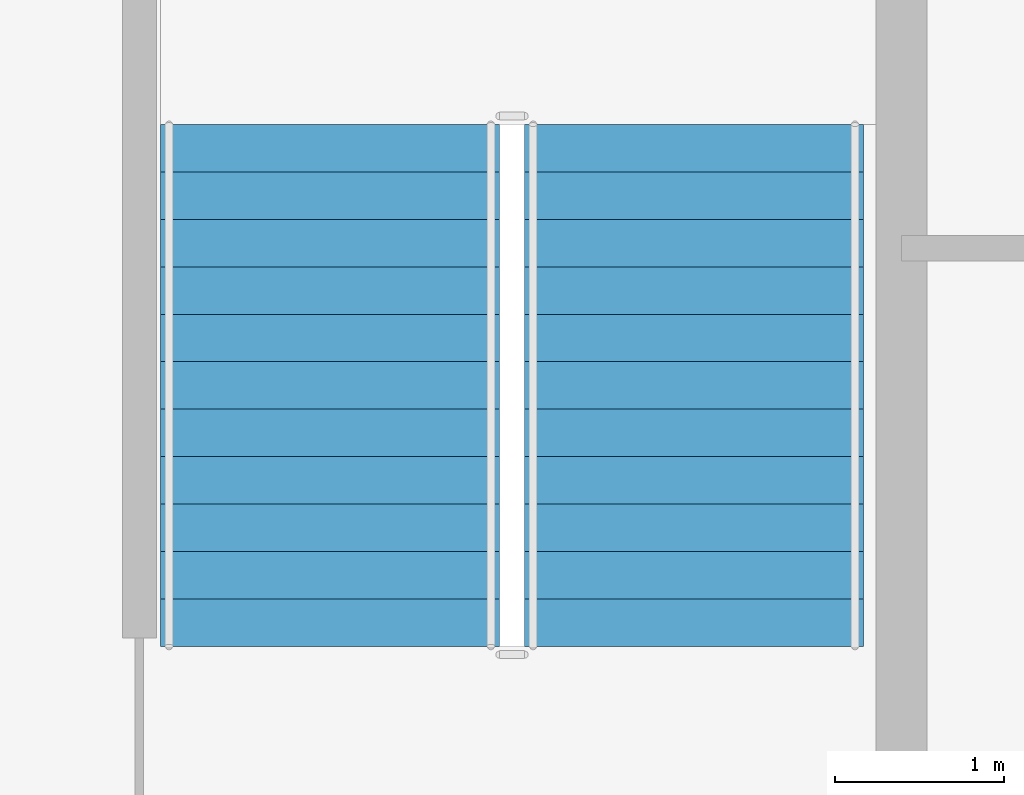
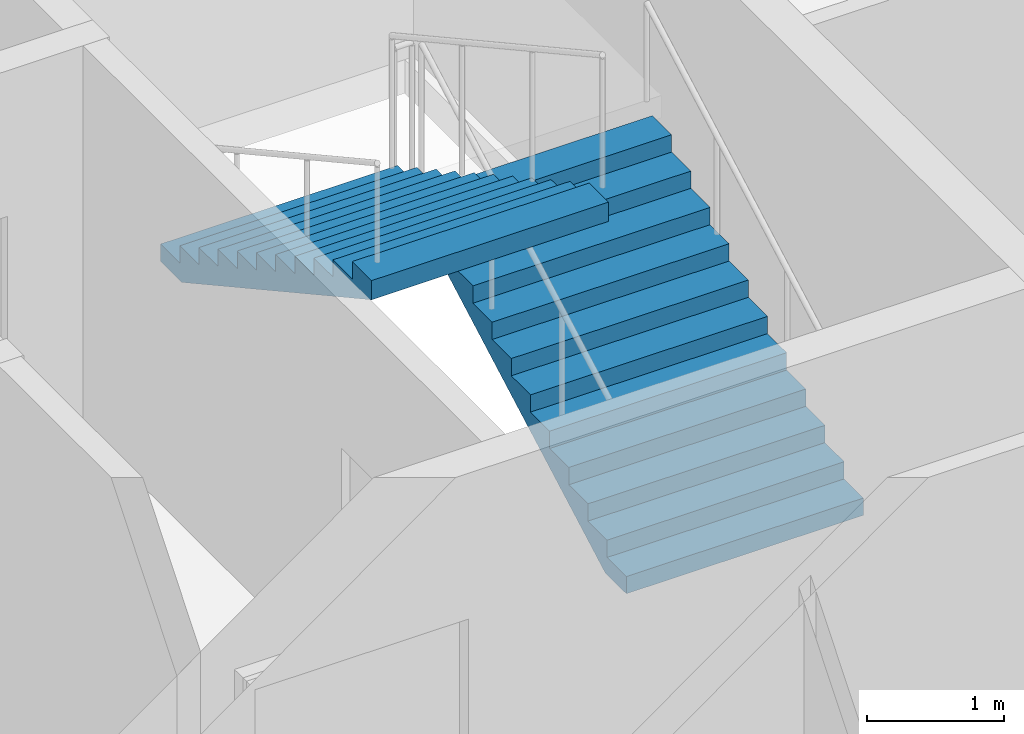
# One storey, part 11 of 14: 2 stair flights, 1 element without a shape of its own.
"""IFC4 building model written with IfcOpenShell, lengths in metres."""

from ifc_helpers import new_model, si_unit, direction, frame, origin, place, context, subcontext, project, spatial, polygons, material, type_object, element, aggregate, save


model = new_model("IFC4")

# Units and contexts
model_context = context("Model", 3, precision=1e-05, world=origin(), true_north=direction((0.0, 1.0)))
body_context = subcontext(model_context, "Body", "Model", "MODEL_VIEW")
ifc_project = project(units=[si_unit("LENGTHUNIT", "METRE"), si_unit("AREAUNIT", "SQUARE_METRE"), si_unit("VOLUMEUNIT", "CUBIC_METRE"), si_unit("PLANEANGLEUNIT", "RADIAN"), si_unit("MASSUNIT", "GRAM", prefix="KILO")], contexts=[model_context])

# Site, building, storey
site_placement = place(None, origin())
site = spatial("IfcSite", under=ifc_project, at=site_placement, CompositionType="ELEMENT")
building_placement = place(site_placement, origin())
building = spatial("IfcBuilding", under=site, at=building_placement, Name="Caravel Reach Hotel and Residences", CompositionType="ELEMENT")
storey_placement = place(building_placement, frame((0.0, 0.0, 161.699951171875)))
storey = spatial("IfcBuildingStorey", under=building, at=storey_placement, Name="L40", CompositionType="ELEMENT", Elevation=161.699951171875)

# Stair, stair flights
ifc_material_1 = material(Name="Concrete C40", Category="concrete")
stair_type = type_object("IfcStairType", Name="Core stair", PredefinedType="HALF_TURN_STAIR", material=ifc_material_1)
stair_placement = place(storey_placement, origin())
stair = element("IfcStair", 1, at=stair_placement, inside=storey, type_object=stair_type, Name="L40 Exit stair B", PredefinedType="HALF_TURN_STAIR")
ifc_material_2 = material(Name="Concrete C40", Category="concrete")
stair_flight_type = type_object("IfcStairFlightType", Name="Core stair flight", PredefinedType="STRAIGHT", material=ifc_material_2)
stair_flight_1_placement = place(storey_placement, frame((43.77490234375, 24.64990234375, 0.0), z_axis=(0.0, 0.0, 1.0), x_axis=(0.0, 1.0, 0.0)))
stair_flight_1 = element("IfcStairFlight", 2, at=stair_flight_1_placement, type_object=stair_flight_type, Name="ST-B flight 1", NumberOfRisers=12, NumberOfTreads=11, PredefinedType="STRAIGHT", RiserHeight=0.154166667, TreadLength=0.28, context=body_context, shape_type="Tessellation", body=[
    polygons([(0.3107950034306102, 1.0, 0.0), (0.3107950034306102, 0.6666666666666667, 0.0), (0.3107950034306102, 0.33333333333333337, 0.0), (0.3107950034306102, 0.0, 0.0), (0.3107950034306102, -0.33333333333333326, 0.0), (0.3107950034306102, -0.6666666666666667, 0.0), (0.3107950034306102, -1.0, 0.0), (3.081, 1.0, 1.524711087717319), (3.081, 0.6666666666666667, 1.524711087717319), (3.081, 0.33333333333333337, 1.524711087717319), (3.081, 0.0, 1.524711087717319), (3.081, -0.33333333333333326, 1.524711087717319), (3.081, -0.6666666666666667, 1.524711087717319), (3.081, -1.0, 1.524711087717319), (3.081, 1.0, 1.695833337), (3.081, 0.6666666666666667, 1.695833337), (3.081, 0.33333333333333337, 1.695833337), (3.081, 0.0, 1.695833337), (3.081, -0.33333333333333326, 1.695833337), (3.081, -0.6666666666666667, 1.695833337), (3.081, -1.0, 1.695833337), (2.8000000000000003, 1.0, 1.695833337), (2.8000000000000003, 0.6666666666666667, 1.695833337), (2.8000000000000003, 0.33333333333333337, 1.695833337), (2.8000000000000003, 0.0, 1.695833337), (2.8000000000000003, -0.33333333333333326, 1.695833337), (2.8000000000000003, -0.6666666666666667, 1.695833337), (2.8000000000000003, -1.0, 1.695833337), (2.8000000000000003, 1.0, 1.5416666700000001), (2.8000000000000003, 0.6666666666666667, 1.5416666700000001), (2.8000000000000003, 0.33333333333333337, 1.5416666700000001), (2.8000000000000003, 0.0, 1.5416666700000001), (2.8000000000000003, -0.33333333333333326, 1.5416666700000001), (2.8000000000000003, -0.6666666666666667, 1.5416666700000001), (2.8000000000000003, -1.0, 1.5416666700000001), (2.5200000000000005, 1.0, 1.5416666700000001), (2.5200000000000005, 0.6666666666666667, 1.5416666700000001), (2.5200000000000005, 0.33333333333333337, 1.5416666700000001), (2.5200000000000005, 0.0, 1.5416666700000001), (2.5200000000000005, -0.33333333333333326, 1.5416666700000001), (2.5200000000000005, -0.6666666666666667, 1.5416666700000001), (2.5200000000000005, -1.0, 1.5416666700000001), (2.5200000000000005, 1.0, 1.387500003), (2.5200000000000005, 0.6666666666666667, 1.387500003), (2.5200000000000005, 0.33333333333333337, 1.387500003), (2.5200000000000005, 0.0, 1.387500003), (2.5200000000000005, -0.33333333333333326, 1.387500003), (2.5200000000000005, -0.6666666666666667, 1.387500003), (2.5200000000000005, -1.0, 1.387500003), (2.24, 1.0, 1.387500003), (2.24, 0.6666666666666667, 1.387500003), (2.24, 0.33333333333333337, 1.387500003), (2.24, 0.0, 1.387500003), (2.24, -0.33333333333333326, 1.387500003), (2.24, -0.6666666666666667, 1.387500003), (2.24, -1.0, 1.387500003), (2.24, 1.0, 1.233333336), (2.24, 0.6666666666666667, 1.233333336), (2.24, 0.33333333333333337, 1.233333336), (2.24, 0.0, 1.233333336), (2.24, -0.33333333333333326, 1.233333336), (2.24, -0.6666666666666667, 1.233333336), (2.24, -1.0, 1.233333336), (1.9600000000000002, 1.0, 1.233333336), (1.9600000000000002, 0.6666666666666667, 1.233333336), (1.9600000000000002, 0.33333333333333337, 1.233333336), (1.9600000000000002, 0.0, 1.233333336), (1.9600000000000002, -0.33333333333333326, 1.233333336), (1.9600000000000002, -0.6666666666666667, 1.233333336), (1.9600000000000002, -1.0, 1.233333336), (1.9600000000000002, 1.0, 1.0791666690000001), (1.9600000000000002, 0.6666666666666667, 1.0791666690000001), (1.9600000000000002, 0.33333333333333337, 1.0791666690000001), (1.9600000000000002, 0.0, 1.0791666690000001), (1.9600000000000002, -0.33333333333333326, 1.0791666690000001), (1.9600000000000002, -0.6666666666666667, 1.0791666690000001), (1.9600000000000002, -1.0, 1.0791666690000001), (1.6800000000000002, 1.0, 1.0791666690000001), (1.6800000000000002, 0.6666666666666667, 1.0791666690000001), (1.6800000000000002, 0.33333333333333337, 1.0791666690000001), (1.6800000000000002, 0.0, 1.0791666690000001), (1.6800000000000002, -0.33333333333333326, 1.0791666690000001), (1.6800000000000002, -0.6666666666666667, 1.0791666690000001), (1.6800000000000002, -1.0, 1.0791666690000001), (1.6800000000000002, 1.0, 0.925000002), (1.6800000000000002, 0.6666666666666667, 0.925000002), (1.6800000000000002, 0.33333333333333337, 0.925000002), (1.6800000000000002, 0.0, 0.925000002), (1.6800000000000002, -0.33333333333333326, 0.925000002), (1.6800000000000002, -0.6666666666666667, 0.925000002), (1.6800000000000002, -1.0, 0.925000002), (1.4000000000000001, 1.0, 0.925000002), (1.4000000000000001, 0.6666666666666667, 0.925000002), (1.4000000000000001, 0.33333333333333337, 0.925000002), (1.4000000000000001, 0.0, 0.925000002), (1.4000000000000001, -0.33333333333333326, 0.925000002), (1.4000000000000001, -0.6666666666666667, 0.925000002), (1.4000000000000001, -1.0, 0.925000002), (1.4000000000000001, 1.0, 0.7708333350000001), (1.4000000000000001, 0.6666666666666667, 0.7708333350000001), (1.4000000000000001, 0.33333333333333337, 0.7708333350000001), (1.4000000000000001, 0.0, 0.7708333350000001), (1.4000000000000001, -0.33333333333333326, 0.7708333350000001), (1.4000000000000001, -0.6666666666666667, 0.7708333350000001), (1.4000000000000001, -1.0, 0.7708333350000001), (1.12, 1.0, 0.7708333350000001), (1.12, 0.6666666666666667, 0.7708333350000001), (1.12, 0.33333333333333337, 0.7708333350000001), (1.12, 0.0, 0.7708333350000001), (1.12, -0.33333333333333326, 0.7708333350000001), (1.12, -0.6666666666666667, 0.7708333350000001), (1.12, -1.0, 0.7708333350000001), (1.12, 1.0, 0.616666668), (1.12, 0.6666666666666667, 0.616666668), (1.12, 0.33333333333333337, 0.616666668), (1.12, 0.0, 0.616666668), (1.12, -0.33333333333333326, 0.616666668), (1.12, -0.6666666666666667, 0.616666668), (1.12, -1.0, 0.616666668), (0.8400000000000001, 1.0, 0.616666668), (0.8400000000000001, 0.6666666666666667, 0.616666668), (0.8400000000000001, 0.33333333333333337, 0.616666668), (0.8400000000000001, 0.0, 0.616666668), (0.8400000000000001, -0.33333333333333326, 0.616666668), (0.8400000000000001, -0.6666666666666667, 0.616666668), (0.8400000000000001, -1.0, 0.616666668), (0.8400000000000001, 1.0, 0.462500001), (0.8400000000000001, 0.6666666666666667, 0.462500001), (0.8400000000000001, 0.33333333333333337, 0.462500001), (0.8400000000000001, 0.0, 0.462500001), (0.8400000000000001, -0.33333333333333326, 0.462500001), (0.8400000000000001, -0.6666666666666667, 0.462500001), (0.8400000000000001, -1.0, 0.462500001), (0.56, 1.0, 0.462500001), (0.56, 0.6666666666666667, 0.462500001), (0.56, 0.33333333333333337, 0.462500001), (0.56, 0.0, 0.462500001), (0.56, -0.33333333333333326, 0.462500001), (0.56, -0.6666666666666667, 0.462500001), (0.56, -1.0, 0.462500001), (0.56, 1.0, 0.308333334), (0.56, 0.6666666666666667, 0.308333334), (0.56, 0.33333333333333337, 0.308333334), (0.56, 0.0, 0.308333334), (0.56, -0.33333333333333326, 0.308333334), (0.56, -0.6666666666666667, 0.308333334), (0.56, -1.0, 0.308333334), (0.28, 1.0, 0.308333334), (0.28, 0.6666666666666667, 0.308333334), (0.28, 0.33333333333333337, 0.308333334), (0.28, 0.0, 0.308333334), (0.28, -0.33333333333333326, 0.308333334), (0.28, -0.6666666666666667, 0.308333334), (0.28, -1.0, 0.308333334), (0.28, 1.0, 0.154166667), (0.28, 0.6666666666666667, 0.154166667), (0.28, 0.33333333333333337, 0.154166667), (0.28, 0.0, 0.154166667), (0.28, -0.33333333333333326, 0.154166667), (0.28, -0.6666666666666667, 0.154166667), (0.28, -1.0, 0.154166667), (-0.001, 1.0, 0.154166667), (-0.001, 0.6666666666666667, 0.154166667), (-0.001, 0.33333333333333337, 0.154166667), (-0.001, 0.0, 0.154166667), (-0.001, -0.33333333333333326, 0.154166667), (-0.001, -0.6666666666666667, 0.154166667), (-0.001, -1.0, 0.154166667), (-0.001, 1.0, 0.0), (-0.001, 0.6666666666666667, 0.0), (-0.001, 0.33333333333333337, 0.0), (-0.001, 0.0, 0.0), (-0.001, -0.33333333333333326, 0.0), (-0.001, -0.6666666666666667, 0.0), (-0.001, -1.0, 0.0)], [[[169, 162, 155, 148, 141, 134, 127, 120, 113, 106, 99, 92, 85, 78, 71, 64, 57, 50, 43, 36, 29, 22, 15, 8, 1]], [[7, 14, 21, 28, 35, 42, 49, 56, 63, 70, 77, 84, 91, 98, 105, 112, 119, 126, 133, 140, 147, 154, 161, 168, 175]], [[1, 8, 9, 2]], [[2, 9, 10, 3]], [[3, 10, 11, 4]], [[4, 11, 12, 5]], [[5, 12, 13, 6]], [[6, 13, 14, 7]], [[8, 15, 16, 9]], [[9, 16, 17, 10]], [[10, 17, 18, 11]], [[11, 18, 19, 12]], [[12, 19, 20, 13]], [[13, 20, 21, 14]], [[15, 22, 23, 16]], [[16, 23, 24, 17]], [[17, 24, 25, 18]], [[18, 25, 26, 19]], [[19, 26, 27, 20]], [[20, 27, 28, 21]], [[22, 29, 30, 23]], [[23, 30, 31, 24]], [[24, 31, 32, 25]], [[25, 32, 33, 26]], [[26, 33, 34, 27]], [[27, 34, 35, 28]], [[29, 36, 37, 30]], [[30, 37, 38, 31]], [[31, 38, 39, 32]], [[32, 39, 40, 33]], [[33, 40, 41, 34]], [[34, 41, 42, 35]], [[36, 43, 44, 37]], [[37, 44, 45, 38]], [[38, 45, 46, 39]], [[39, 46, 47, 40]], [[40, 47, 48, 41]], [[41, 48, 49, 42]], [[43, 50, 51, 44]], [[44, 51, 52, 45]], [[45, 52, 53, 46]], [[46, 53, 54, 47]], [[47, 54, 55, 48]], [[48, 55, 56, 49]], [[50, 57, 58, 51]], [[51, 58, 59, 52]], [[52, 59, 60, 53]], [[53, 60, 61, 54]], [[54, 61, 62, 55]], [[55, 62, 63, 56]], [[57, 64, 65, 58]], [[58, 65, 66, 59]], [[59, 66, 67, 60]], [[60, 67, 68, 61]], [[61, 68, 69, 62]], [[62, 69, 70, 63]], [[64, 71, 72, 65]], [[65, 72, 73, 66]], [[66, 73, 74, 67]], [[67, 74, 75, 68]], [[68, 75, 76, 69]], [[69, 76, 77, 70]], [[71, 78, 79, 72]], [[72, 79, 80, 73]], [[73, 80, 81, 74]], [[74, 81, 82, 75]], [[75, 82, 83, 76]], [[76, 83, 84, 77]], [[78, 85, 86, 79]], [[79, 86, 87, 80]], [[80, 87, 88, 81]], [[81, 88, 89, 82]], [[82, 89, 90, 83]], [[83, 90, 91, 84]], [[85, 92, 93, 86]], [[86, 93, 94, 87]], [[87, 94, 95, 88]], [[88, 95, 96, 89]], [[89, 96, 97, 90]], [[90, 97, 98, 91]], [[92, 99, 100, 93]], [[93, 100, 101, 94]], [[94, 101, 102, 95]], [[95, 102, 103, 96]], [[96, 103, 104, 97]], [[97, 104, 105, 98]], [[99, 106, 107, 100]], [[100, 107, 108, 101]], [[101, 108, 109, 102]], [[102, 109, 110, 103]], [[103, 110, 111, 104]], [[104, 111, 112, 105]], [[106, 113, 114, 107]], [[107, 114, 115, 108]], [[108, 115, 116, 109]], [[109, 116, 117, 110]], [[110, 117, 118, 111]], [[111, 118, 119, 112]], [[113, 120, 121, 114]], [[114, 121, 122, 115]], [[115, 122, 123, 116]], [[116, 123, 124, 117]], [[117, 124, 125, 118]], [[118, 125, 126, 119]], [[120, 127, 128, 121]], [[121, 128, 129, 122]], [[122, 129, 130, 123]], [[123, 130, 131, 124]], [[124, 131, 132, 125]], [[125, 132, 133, 126]], [[127, 134, 135, 128]], [[128, 135, 136, 129]], [[129, 136, 137, 130]], [[130, 137, 138, 131]], [[131, 138, 139, 132]], [[132, 139, 140, 133]], [[134, 141, 142, 135]], [[135, 142, 143, 136]], [[136, 143, 144, 137]], [[137, 144, 145, 138]], [[138, 145, 146, 139]], [[139, 146, 147, 140]], [[141, 148, 149, 142]], [[142, 149, 150, 143]], [[143, 150, 151, 144]], [[144, 151, 152, 145]], [[145, 152, 153, 146]], [[146, 153, 154, 147]], [[148, 155, 156, 149]], [[149, 156, 157, 150]], [[150, 157, 158, 151]], [[151, 158, 159, 152]], [[152, 159, 160, 153]], [[153, 160, 161, 154]], [[155, 162, 163, 156]], [[156, 163, 164, 157]], [[157, 164, 165, 158]], [[158, 165, 166, 159]], [[159, 166, 167, 160]], [[160, 167, 168, 161]], [[162, 169, 170, 163]], [[163, 170, 171, 164]], [[164, 171, 172, 165]], [[165, 172, 173, 166]], [[166, 173, 174, 167]], [[167, 174, 175, 168]], [[169, 1, 2, 170]], [[170, 2, 3, 171]], [[171, 3, 4, 172]], [[172, 4, 5, 173]], [[173, 5, 6, 174]], [[174, 6, 7, 175]]], closed=True),
])
stair_flight_2_placement = place(storey_placement, frame((41.625, 27.72998046875, 1.85009765625), z_axis=(0.0, 0.0, 1.0), x_axis=(0.0, -1.0, 0.0)))
stair_flight_2 = element("IfcStairFlight", 3, at=stair_flight_2_placement, type_object=stair_flight_type, Name="ST-B flight 2", NumberOfRisers=12, NumberOfTreads=11, PredefinedType="STRAIGHT", RiserHeight=0.154166667, TreadLength=0.28, context=body_context, shape_type="Tessellation", body=[
    polygons([(0.3107950034306102, 1.0, 0.0), (0.3107950034306102, 0.6666666666666667, 0.0), (0.3107950034306102, 0.33333333333333337, 0.0), (0.3107950034306102, 0.0, 0.0), (0.3107950034306102, -0.33333333333333326, 0.0), (0.3107950034306102, -0.6666666666666667, 0.0), (0.3107950034306102, -1.0, 0.0), (3.081, 1.0, 1.524711087717319), (3.081, 0.6666666666666667, 1.524711087717319), (3.081, 0.33333333333333337, 1.524711087717319), (3.081, 0.0, 1.524711087717319), (3.081, -0.33333333333333326, 1.524711087717319), (3.081, -0.6666666666666667, 1.524711087717319), (3.081, -1.0, 1.524711087717319), (3.081, 1.0, 1.695833337), (3.081, 0.6666666666666667, 1.695833337), (3.081, 0.33333333333333337, 1.695833337), (3.081, 0.0, 1.695833337), (3.081, -0.33333333333333326, 1.695833337), (3.081, -0.6666666666666667, 1.695833337), (3.081, -1.0, 1.695833337), (2.8000000000000003, 1.0, 1.695833337), (2.8000000000000003, 0.6666666666666667, 1.695833337), (2.8000000000000003, 0.33333333333333337, 1.695833337), (2.8000000000000003, 0.0, 1.695833337), (2.8000000000000003, -0.33333333333333326, 1.695833337), (2.8000000000000003, -0.6666666666666667, 1.695833337), (2.8000000000000003, -1.0, 1.695833337), (2.8000000000000003, 1.0, 1.5416666700000001), (2.8000000000000003, 0.6666666666666667, 1.5416666700000001), (2.8000000000000003, 0.33333333333333337, 1.5416666700000001), (2.8000000000000003, 0.0, 1.5416666700000001), (2.8000000000000003, -0.33333333333333326, 1.5416666700000001), (2.8000000000000003, -0.6666666666666667, 1.5416666700000001), (2.8000000000000003, -1.0, 1.5416666700000001), (2.5200000000000005, 1.0, 1.5416666700000001), (2.5200000000000005, 0.6666666666666667, 1.5416666700000001), (2.5200000000000005, 0.33333333333333337, 1.5416666700000001), (2.5200000000000005, 0.0, 1.5416666700000001), (2.5200000000000005, -0.33333333333333326, 1.5416666700000001), (2.5200000000000005, -0.6666666666666667, 1.5416666700000001), (2.5200000000000005, -1.0, 1.5416666700000001), (2.5200000000000005, 1.0, 1.387500003), (2.5200000000000005, 0.6666666666666667, 1.387500003), (2.5200000000000005, 0.33333333333333337, 1.387500003), (2.5200000000000005, 0.0, 1.387500003), (2.5200000000000005, -0.33333333333333326, 1.387500003), (2.5200000000000005, -0.6666666666666667, 1.387500003), (2.5200000000000005, -1.0, 1.387500003), (2.24, 1.0, 1.387500003), (2.24, 0.6666666666666667, 1.387500003), (2.24, 0.33333333333333337, 1.387500003), (2.24, 0.0, 1.387500003), (2.24, -0.33333333333333326, 1.387500003), (2.24, -0.6666666666666667, 1.387500003), (2.24, -1.0, 1.387500003), (2.24, 1.0, 1.233333336), (2.24, 0.6666666666666667, 1.233333336), (2.24, 0.33333333333333337, 1.233333336), (2.24, 0.0, 1.233333336), (2.24, -0.33333333333333326, 1.233333336), (2.24, -0.6666666666666667, 1.233333336), (2.24, -1.0, 1.233333336), (1.9600000000000002, 1.0, 1.233333336), (1.9600000000000002, 0.6666666666666667, 1.233333336), (1.9600000000000002, 0.33333333333333337, 1.233333336), (1.9600000000000002, 0.0, 1.233333336), (1.9600000000000002, -0.33333333333333326, 1.233333336), (1.9600000000000002, -0.6666666666666667, 1.233333336), (1.9600000000000002, -1.0, 1.233333336), (1.9600000000000002, 1.0, 1.0791666690000001), (1.9600000000000002, 0.6666666666666667, 1.0791666690000001), (1.9600000000000002, 0.33333333333333337, 1.0791666690000001), (1.9600000000000002, 0.0, 1.0791666690000001), (1.9600000000000002, -0.33333333333333326, 1.0791666690000001), (1.9600000000000002, -0.6666666666666667, 1.0791666690000001), (1.9600000000000002, -1.0, 1.0791666690000001), (1.6800000000000002, 1.0, 1.0791666690000001), (1.6800000000000002, 0.6666666666666667, 1.0791666690000001), (1.6800000000000002, 0.33333333333333337, 1.0791666690000001), (1.6800000000000002, 0.0, 1.0791666690000001), (1.6800000000000002, -0.33333333333333326, 1.0791666690000001), (1.6800000000000002, -0.6666666666666667, 1.0791666690000001), (1.6800000000000002, -1.0, 1.0791666690000001), (1.6800000000000002, 1.0, 0.925000002), (1.6800000000000002, 0.6666666666666667, 0.925000002), (1.6800000000000002, 0.33333333333333337, 0.925000002), (1.6800000000000002, 0.0, 0.925000002), (1.6800000000000002, -0.33333333333333326, 0.925000002), (1.6800000000000002, -0.6666666666666667, 0.925000002), (1.6800000000000002, -1.0, 0.925000002), (1.4000000000000001, 1.0, 0.925000002), (1.4000000000000001, 0.6666666666666667, 0.925000002), (1.4000000000000001, 0.33333333333333337, 0.925000002), (1.4000000000000001, 0.0, 0.925000002), (1.4000000000000001, -0.33333333333333326, 0.925000002), (1.4000000000000001, -0.6666666666666667, 0.925000002), (1.4000000000000001, -1.0, 0.925000002), (1.4000000000000001, 1.0, 0.7708333350000001), (1.4000000000000001, 0.6666666666666667, 0.7708333350000001), (1.4000000000000001, 0.33333333333333337, 0.7708333350000001), (1.4000000000000001, 0.0, 0.7708333350000001), (1.4000000000000001, -0.33333333333333326, 0.7708333350000001), (1.4000000000000001, -0.6666666666666667, 0.7708333350000001), (1.4000000000000001, -1.0, 0.7708333350000001), (1.12, 1.0, 0.7708333350000001), (1.12, 0.6666666666666667, 0.7708333350000001), (1.12, 0.33333333333333337, 0.7708333350000001), (1.12, 0.0, 0.7708333350000001), (1.12, -0.33333333333333326, 0.7708333350000001), (1.12, -0.6666666666666667, 0.7708333350000001), (1.12, -1.0, 0.7708333350000001), (1.12, 1.0, 0.616666668), (1.12, 0.6666666666666667, 0.616666668), (1.12, 0.33333333333333337, 0.616666668), (1.12, 0.0, 0.616666668), (1.12, -0.33333333333333326, 0.616666668), (1.12, -0.6666666666666667, 0.616666668), (1.12, -1.0, 0.616666668), (0.8400000000000001, 1.0, 0.616666668), (0.8400000000000001, 0.6666666666666667, 0.616666668), (0.8400000000000001, 0.33333333333333337, 0.616666668), (0.8400000000000001, 0.0, 0.616666668), (0.8400000000000001, -0.33333333333333326, 0.616666668), (0.8400000000000001, -0.6666666666666667, 0.616666668), (0.8400000000000001, -1.0, 0.616666668), (0.8400000000000001, 1.0, 0.462500001), (0.8400000000000001, 0.6666666666666667, 0.462500001), (0.8400000000000001, 0.33333333333333337, 0.462500001), (0.8400000000000001, 0.0, 0.462500001), (0.8400000000000001, -0.33333333333333326, 0.462500001), (0.8400000000000001, -0.6666666666666667, 0.462500001), (0.8400000000000001, -1.0, 0.462500001), (0.56, 1.0, 0.462500001), (0.56, 0.6666666666666667, 0.462500001), (0.56, 0.33333333333333337, 0.462500001), (0.56, 0.0, 0.462500001), (0.56, -0.33333333333333326, 0.462500001), (0.56, -0.6666666666666667, 0.462500001), (0.56, -1.0, 0.462500001), (0.56, 1.0, 0.308333334), (0.56, 0.6666666666666667, 0.308333334), (0.56, 0.33333333333333337, 0.308333334), (0.56, 0.0, 0.308333334), (0.56, -0.33333333333333326, 0.308333334), (0.56, -0.6666666666666667, 0.308333334), (0.56, -1.0, 0.308333334), (0.28, 1.0, 0.308333334), (0.28, 0.6666666666666667, 0.308333334), (0.28, 0.33333333333333337, 0.308333334), (0.28, 0.0, 0.308333334), (0.28, -0.33333333333333326, 0.308333334), (0.28, -0.6666666666666667, 0.308333334), (0.28, -1.0, 0.308333334), (0.28, 1.0, 0.154166667), (0.28, 0.6666666666666667, 0.154166667), (0.28, 0.33333333333333337, 0.154166667), (0.28, 0.0, 0.154166667), (0.28, -0.33333333333333326, 0.154166667), (0.28, -0.6666666666666667, 0.154166667), (0.28, -1.0, 0.154166667), (-0.001, 1.0, 0.154166667), (-0.001, 0.6666666666666667, 0.154166667), (-0.001, 0.33333333333333337, 0.154166667), (-0.001, 0.0, 0.154166667), (-0.001, -0.33333333333333326, 0.154166667), (-0.001, -0.6666666666666667, 0.154166667), (-0.001, -1.0, 0.154166667), (-0.001, 1.0, 0.0), (-0.001, 0.6666666666666667, 0.0), (-0.001, 0.33333333333333337, 0.0), (-0.001, 0.0, 0.0), (-0.001, -0.33333333333333326, 0.0), (-0.001, -0.6666666666666667, 0.0), (-0.001, -1.0, 0.0)], [[[169, 162, 155, 148, 141, 134, 127, 120, 113, 106, 99, 92, 85, 78, 71, 64, 57, 50, 43, 36, 29, 22, 15, 8, 1]], [[7, 14, 21, 28, 35, 42, 49, 56, 63, 70, 77, 84, 91, 98, 105, 112, 119, 126, 133, 140, 147, 154, 161, 168, 175]], [[1, 8, 9, 2]], [[2, 9, 10, 3]], [[3, 10, 11, 4]], [[4, 11, 12, 5]], [[5, 12, 13, 6]], [[6, 13, 14, 7]], [[8, 15, 16, 9]], [[9, 16, 17, 10]], [[10, 17, 18, 11]], [[11, 18, 19, 12]], [[12, 19, 20, 13]], [[13, 20, 21, 14]], [[15, 22, 23, 16]], [[16, 23, 24, 17]], [[17, 24, 25, 18]], [[18, 25, 26, 19]], [[19, 26, 27, 20]], [[20, 27, 28, 21]], [[22, 29, 30, 23]], [[23, 30, 31, 24]], [[24, 31, 32, 25]], [[25, 32, 33, 26]], [[26, 33, 34, 27]], [[27, 34, 35, 28]], [[29, 36, 37, 30]], [[30, 37, 38, 31]], [[31, 38, 39, 32]], [[32, 39, 40, 33]], [[33, 40, 41, 34]], [[34, 41, 42, 35]], [[36, 43, 44, 37]], [[37, 44, 45, 38]], [[38, 45, 46, 39]], [[39, 46, 47, 40]], [[40, 47, 48, 41]], [[41, 48, 49, 42]], [[43, 50, 51, 44]], [[44, 51, 52, 45]], [[45, 52, 53, 46]], [[46, 53, 54, 47]], [[47, 54, 55, 48]], [[48, 55, 56, 49]], [[50, 57, 58, 51]], [[51, 58, 59, 52]], [[52, 59, 60, 53]], [[53, 60, 61, 54]], [[54, 61, 62, 55]], [[55, 62, 63, 56]], [[57, 64, 65, 58]], [[58, 65, 66, 59]], [[59, 66, 67, 60]], [[60, 67, 68, 61]], [[61, 68, 69, 62]], [[62, 69, 70, 63]], [[64, 71, 72, 65]], [[65, 72, 73, 66]], [[66, 73, 74, 67]], [[67, 74, 75, 68]], [[68, 75, 76, 69]], [[69, 76, 77, 70]], [[71, 78, 79, 72]], [[72, 79, 80, 73]], [[73, 80, 81, 74]], [[74, 81, 82, 75]], [[75, 82, 83, 76]], [[76, 83, 84, 77]], [[78, 85, 86, 79]], [[79, 86, 87, 80]], [[80, 87, 88, 81]], [[81, 88, 89, 82]], [[82, 89, 90, 83]], [[83, 90, 91, 84]], [[85, 92, 93, 86]], [[86, 93, 94, 87]], [[87, 94, 95, 88]], [[88, 95, 96, 89]], [[89, 96, 97, 90]], [[90, 97, 98, 91]], [[92, 99, 100, 93]], [[93, 100, 101, 94]], [[94, 101, 102, 95]], [[95, 102, 103, 96]], [[96, 103, 104, 97]], [[97, 104, 105, 98]], [[99, 106, 107, 100]], [[100, 107, 108, 101]], [[101, 108, 109, 102]], [[102, 109, 110, 103]], [[103, 110, 111, 104]], [[104, 111, 112, 105]], [[106, 113, 114, 107]], [[107, 114, 115, 108]], [[108, 115, 116, 109]], [[109, 116, 117, 110]], [[110, 117, 118, 111]], [[111, 118, 119, 112]], [[113, 120, 121, 114]], [[114, 121, 122, 115]], [[115, 122, 123, 116]], [[116, 123, 124, 117]], [[117, 124, 125, 118]], [[118, 125, 126, 119]], [[120, 127, 128, 121]], [[121, 128, 129, 122]], [[122, 129, 130, 123]], [[123, 130, 131, 124]], [[124, 131, 132, 125]], [[125, 132, 133, 126]], [[127, 134, 135, 128]], [[128, 135, 136, 129]], [[129, 136, 137, 130]], [[130, 137, 138, 131]], [[131, 138, 139, 132]], [[132, 139, 140, 133]], [[134, 141, 142, 135]], [[135, 142, 143, 136]], [[136, 143, 144, 137]], [[137, 144, 145, 138]], [[138, 145, 146, 139]], [[139, 146, 147, 140]], [[141, 148, 149, 142]], [[142, 149, 150, 143]], [[143, 150, 151, 144]], [[144, 151, 152, 145]], [[145, 152, 153, 146]], [[146, 153, 154, 147]], [[148, 155, 156, 149]], [[149, 156, 157, 150]], [[150, 157, 158, 151]], [[151, 158, 159, 152]], [[152, 159, 160, 153]], [[153, 160, 161, 154]], [[155, 162, 163, 156]], [[156, 163, 164, 157]], [[157, 164, 165, 158]], [[158, 165, 166, 159]], [[159, 166, 167, 160]], [[160, 167, 168, 161]], [[162, 169, 170, 163]], [[163, 170, 171, 164]], [[164, 171, 172, 165]], [[165, 172, 173, 166]], [[166, 173, 174, 167]], [[167, 174, 175, 168]], [[169, 1, 2, 170]], [[170, 2, 3, 171]], [[171, 3, 4, 172]], [[172, 4, 5, 173]], [[173, 5, 6, 174]], [[174, 6, 7, 175]]], closed=True),
])
aggregate(stair, [stair_flight_1, stair_flight_2])

save(model, "model.ifc")
